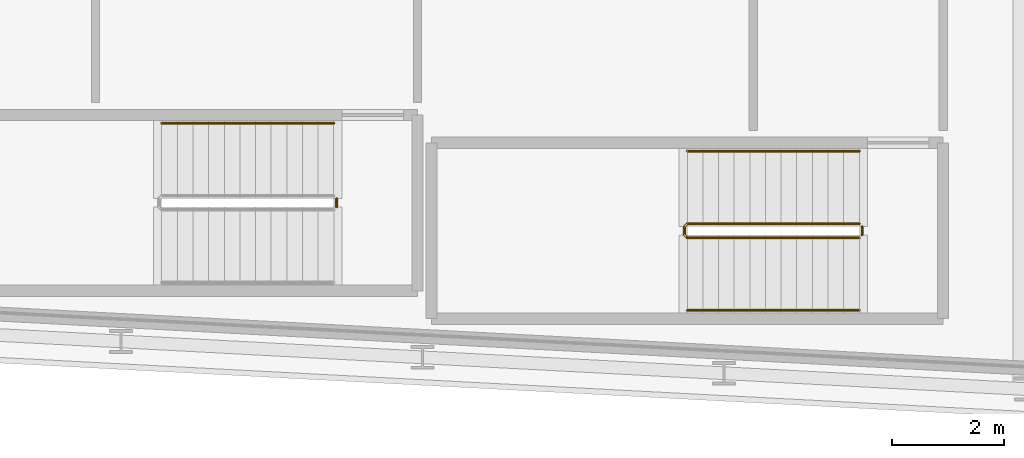
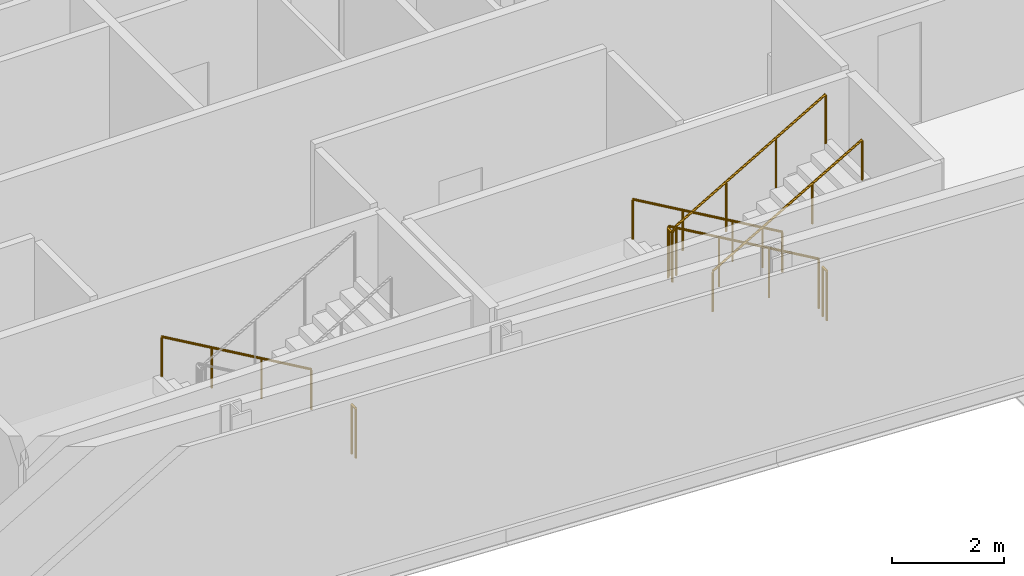
# One storey, part 26 of 29: 6 railings.
"""IFC4 building model written with IfcOpenShell, lengths in metres."""

from ifc_helpers import new_model, si_unit, direction, frame, origin, origin_2d, place, context, subcontext, project, spatial, circle, extrude, material, type_object, element, save


model = new_model("IFC4")

# Units and contexts
model_context = context("Model", 3, precision=1e-05, world=origin(), true_north=direction((0.0, 1.0)))
body_context = subcontext(model_context, "Body", "Model", "MODEL_VIEW")
ifc_project = project(units=[si_unit("LENGTHUNIT", "METRE"), si_unit("AREAUNIT", "SQUARE_METRE"), si_unit("VOLUMEUNIT", "CUBIC_METRE"), si_unit("PLANEANGLEUNIT", "RADIAN"), si_unit("MASSUNIT", "GRAM", prefix="KILO")], contexts=[model_context])

# Site, building, storey
site_placement = place(None, origin())
site = spatial("IfcSite", under=ifc_project, at=site_placement, CompositionType="ELEMENT")
building_placement = place(site_placement, origin())
building = spatial("IfcBuilding", under=site, at=building_placement, Name="Kheshtan School and Residences Tower", CompositionType="ELEMENT")
storey_placement = place(building_placement, frame((0.0, 0.0, 183.800048828125)))
storey = spatial("IfcBuildingStorey", under=building, at=storey_placement, Name="L43", CompositionType="ELEMENT", Elevation=183.800048828125)

# Railings
ifc_material_1 = material(Name="Stainless steel balustrade", Category="steel")
railing_type_1 = type_object("IfcRailingType", Name="Stair guard 1100", PredefinedType="GUARDRAIL", material=ifc_material_1)
railing_1_placement = place(storey_placement, frame((87.820068359375, 23.949951171875, 0.162353515625)))
element("IfcRailing", 1, at=railing_1_placement, inside=storey, type_object=railing_type_1, Name="L43 ST4 stair guard 1", PredefinedType="GUARDRAIL", context=body_context, shape_type="SweptSolid", body=[
    extrude(circle(Radius=0.02392578125, at=origin_2d()), frame((0.0, 0.0, 1.076171875), z_axis=(-0.864890721111, 0.0, 0.501960198159), x_axis=(0.0, -1.0, 0.0)), (0.0, 0.0, 1.0), 3.561279296875),
    extrude(circle(Radius=0.02392578125, at=origin_2d()), frame((-3.080078125, 0.0, 2.86376953125), z_axis=(-0.707106781187, -0.707106781187, 0.0), x_axis=(0.707106781187, -0.707106781187, 0.0)), (0.0, 0.0, 1.0), 0.07080078125),
    extrude(circle(Radius=0.02392578125, at=origin_2d()), frame((-3.130126953125, -0.050048828125, 2.86376953125), z_axis=(0.0, -1.0, 0.0), x_axis=(1.0, 0.0, 0.0)), (0.0, 0.0, 1.0), 0.14990234375),
    extrude(circle(Radius=0.02392578125, at=origin_2d()), frame((-3.130126953125, -0.199951171875, 2.86376953125), z_axis=(0.282227285176, -0.282227285176, 0.916894497205), x_axis=(0.707106781187, 0.707106781187, 0.0)), (0.0, 0.0, 1.0), 0.17724609375),
    extrude(circle(Radius=0.02392578125, at=origin_2d()), frame((-3.080078125, -0.25, 3.0263671875), z_axis=(0.864920483161, 0.0, 0.501908913857), x_axis=(0.0, 1.0, 0.0)), (0.0, 0.0, 1.0), 3.56103515625),
    extrude(circle(Radius=0.02099609375, at=origin_2d()), origin(), (0.0, 0.0, 1.0), 1.052001953125),
    extrude(circle(Radius=0.02099609375, at=origin_2d()), frame((-1.026611328125, 0.0, 0.595947265625)), (0.0, 0.0, 1.0), 1.052001953125),
    extrude(circle(Radius=0.02099609375, at=origin_2d()), frame((-2.053466796875, 0.0, 1.191650390625)), (0.0, 0.0, 1.0), 1.052001953125),
    extrude(circle(Radius=0.02099609375, at=origin_2d()), frame((-3.080078125, 0.0, 1.78759765625)), (0.0, 0.0, 1.0), 1.052001953125),
    extrude(circle(Radius=0.02099609375, at=origin_2d()), frame((-3.130126953125, -0.050048828125, 1.78759765625)), (0.0, 0.0, 1.0), 1.052001953125),
    extrude(circle(Radius=0.02099609375, at=origin_2d()), frame((-3.130126953125, -0.199951171875, 1.78759765625)), (0.0, 0.0, 1.0), 1.052001953125),
    extrude(circle(Radius=0.02099609375, at=origin_2d()), frame((-3.080078125, -0.25, 1.9501953125)), (0.0, 0.0, 1.0), 1.052001953125),
    extrude(circle(Radius=0.02099609375, at=origin_2d()), frame((-2.053466796875, -0.25, 2.5458984375)), (0.0, 0.0, 1.0), 1.052001953125),
    extrude(circle(Radius=0.02099609375, at=origin_2d()), frame((-1.026611328125, -0.25, 3.141845703125)), (0.0, 0.0, 1.0), 1.052001953125),
    extrude(circle(Radius=0.02099609375, at=origin_2d()), frame((0.0, -0.25, 3.737548828125)), (0.0, 0.0, 1.0), 1.052001953125),
])
for number, where, name in (
    (2, (87.8701171875, 23.89990234375, 0.0), "L43 ST4 stair guard 2"),
    (3, (78.4599609375, 24.39990234375, 0.0), "L43 ST5 stair guard 2"),
):
    element("IfcRailing", number, at=place(storey_placement, frame(where)), inside=storey, type_object=railing_type_1, Name=name, PredefinedType="GUARDRAIL", context=body_context, shape_type="SweptSolid", body=[
        extrude(circle(Radius=0.02392578125, at=origin_2d()), frame((0.0, 0.0, 1.076171875), z_axis=(0.0, -1.0, 0.0), x_axis=(1.0, 0.0, 0.0)), (0.0, 0.0, 1.0), 0.14990234375),
        extrude(circle(Radius=0.02099609375, at=origin_2d()), origin(), (0.0, 0.0, 1.0), 1.052001953125),
        extrude(circle(Radius=0.02099609375, at=origin_2d()), frame((0.0, -0.14990234375, 0.0)), (0.0, 0.0, 1.0), 1.052001953125),
    ])
ifc_material_2 = material(Name="Stainless steel handrail", Category="steel")
railing_type_2 = type_object("IfcRailingType", Name="Stair handrail 900", PredefinedType="HANDRAIL", material=ifc_material_2)
railing_2_placement = place(storey_placement, frame((87.820068359375, 25.25, 0.162353515625)))
element("IfcRailing", 4, at=railing_2_placement, inside=storey, type_object=railing_type_2, Name="L43 ST4 stair handrail 1", PredefinedType="HANDRAIL", context=body_context, shape_type="SweptSolid", body=[
    extrude(circle(Radius=0.02392578125, at=origin_2d()), frame((0.0, 0.0, 0.8759765625), z_axis=(-0.864890721111, 0.0, 0.501960198159), x_axis=(0.0, -1.0, 0.0)), (0.0, 0.0, 1.0), 3.561279296875),
    extrude(circle(Radius=0.02099609375, at=origin_2d()), origin(), (0.0, 0.0, 1.0), 0.851806640625),
    extrude(circle(Radius=0.02099609375, at=origin_2d()), frame((-1.026611328125, 0.0, 0.595947265625)), (0.0, 0.0, 1.0), 0.851806640625),
    extrude(circle(Radius=0.02099609375, at=origin_2d()), frame((-2.053466796875, 0.0, 1.191650390625)), (0.0, 0.0, 1.0), 0.851806640625),
    extrude(circle(Radius=0.02099609375, at=origin_2d()), frame((-3.080078125, 0.0, 1.78759765625)), (0.0, 0.0, 1.0), 0.851806640625),
])
railing_3_placement = place(storey_placement, frame((84.739990234375, 22.39990234375, 2.112548828125)))
element("IfcRailing", 5, at=railing_3_placement, inside=storey, type_object=railing_type_2, Name="L43 ST4 stair handrail 2", PredefinedType="HANDRAIL", context=body_context, shape_type="SweptSolid", body=[
    extrude(circle(Radius=0.02392578125, at=origin_2d()), frame((0.0, 0.0, 0.8759765625), z_axis=(0.864920483161, 0.0, 0.501908913857), x_axis=(0.0, 1.0, 0.0)), (0.0, 0.0, 1.0), 3.56103515625),
    extrude(circle(Radius=0.02099609375, at=origin_2d()), origin(), (0.0, 0.0, 1.0), 0.851806640625),
    extrude(circle(Radius=0.02099609375, at=origin_2d()), frame((1.026611328125, 0.0, 0.595703125)), (0.0, 0.0, 1.0), 0.851806640625),
    extrude(circle(Radius=0.02099609375, at=origin_2d()), frame((2.053466796875, 0.0, 1.191650390625)), (0.0, 0.0, 1.0), 0.851806640625),
    extrude(circle(Radius=0.02099609375, at=origin_2d()), frame((3.080078125, 0.0, 1.787353515625)), (0.0, 0.0, 1.0), 0.851806640625),
])
railing_4_placement = place(storey_placement, frame((78.409912109375, 25.75, 0.162353515625)))
element("IfcRailing", 6, at=railing_4_placement, inside=storey, type_object=railing_type_2, Name="L43 ST5 stair handrail 1", PredefinedType="HANDRAIL", context=body_context, shape_type="SweptSolid", body=[
    extrude(circle(Radius=0.02392578125, at=origin_2d()), frame((0.0, 0.0, 0.8759765625), z_axis=(-0.864873446163, 0.0, 0.501989962173), x_axis=(0.0, -1.0, 0.0)), (0.0, 0.0, 1.0), 3.56103515625),
    extrude(circle(Radius=0.02099609375, at=origin_2d()), origin(), (0.0, 0.0, 1.0), 0.851806640625),
    extrude(circle(Radius=0.02099609375, at=origin_2d()), frame((-1.026611328125, 0.0, 0.595947265625)), (0.0, 0.0, 1.0), 0.851806640625),
    extrude(circle(Radius=0.02099609375, at=origin_2d()), frame((-2.05322265625, 0.0, 1.191650390625)), (0.0, 0.0, 1.0), 0.851806640625),
    extrude(circle(Radius=0.02099609375, at=origin_2d()), frame((-3.079833984375, 0.0, 1.78759765625)), (0.0, 0.0, 1.0), 0.851806640625),
])

save(model, "model.ifc")
